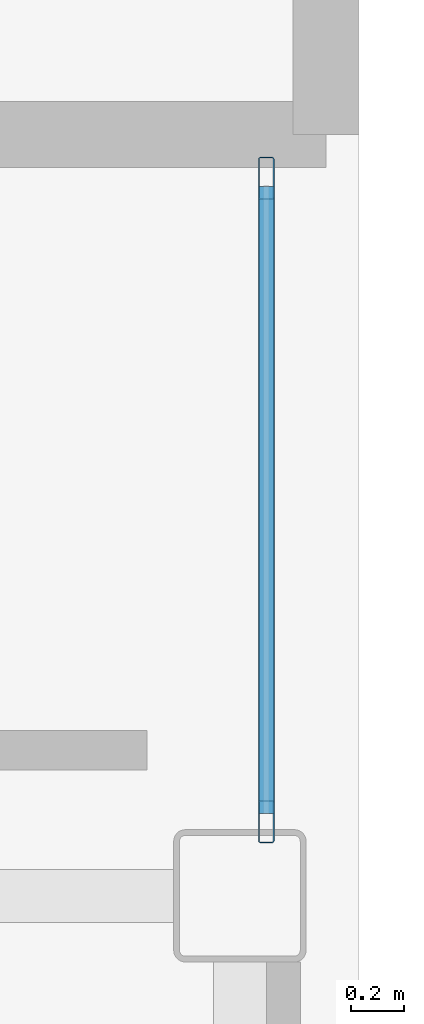
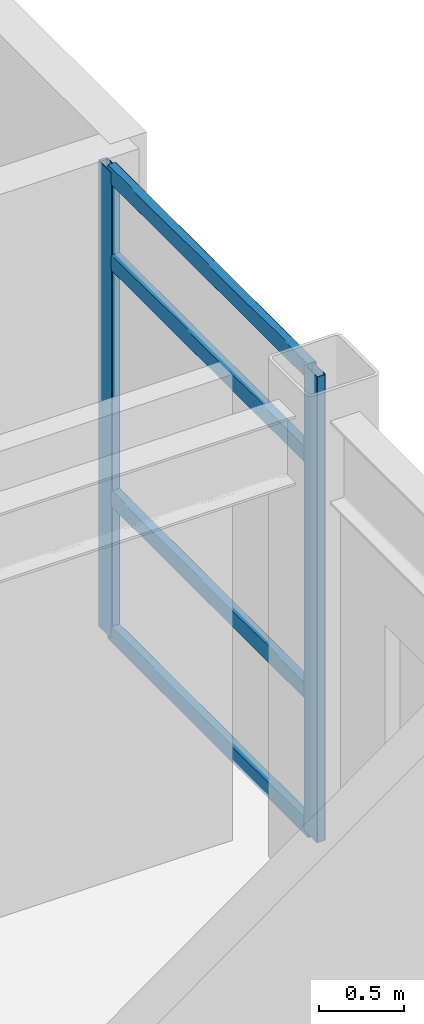
# One storey, part 7 of 35: 6 members, 1 element without a shape of its own.
"""IFC4 building model written with IfcOpenShell, lengths in metres."""

from ifc_helpers import new_model, si_unit, direction, frame, origin, origin_2d, place, context, subcontext, project, spatial, hollow_rectangle, extrude, material, layer, layer_set, material_profile, profile_set, type_object, element, aggregate, save


model = new_model("IFC4")

# Units and contexts
model_context = context("Model", 3, precision=1e-05, world=origin(), true_north=direction((0.0, 1.0)))
body_context = subcontext(model_context, "Body", "Model", "MODEL_VIEW")
ifc_project = project(units=[si_unit("LENGTHUNIT", "METRE"), si_unit("AREAUNIT", "SQUARE_METRE"), si_unit("VOLUMEUNIT", "CUBIC_METRE"), si_unit("PLANEANGLEUNIT", "RADIAN"), si_unit("MASSUNIT", "GRAM", prefix="KILO")], contexts=[model_context])

# Site, building, storey
site_placement = place(None, origin())
site = spatial("IfcSite", under=ifc_project, at=site_placement, CompositionType="ELEMENT")
building_placement = place(site_placement, origin())
building = spatial("IfcBuilding", under=site, at=building_placement, Name="Kazehara Bluff Congress Hotel", CompositionType="ELEMENT")
storey_placement = place(building_placement, frame((0.0, 0.0, 35.39990234375)))
storey = spatial("IfcBuildingStorey", under=building, at=storey_placement, Name="L08", CompositionType="ELEMENT", Elevation=35.39990234375)

# Curtain wall, members
ifc_material_1 = material(Name="Anodised aluminium", Category="aluminium")
ifc_layer = layer(ifc_material_1, 0.159912109375)
ifc_layer_set = layer_set([ifc_layer], Name="Anodised aluminium")
curtain_wall_type = type_object("IfcCurtainWallType", Name="TP-CW-187", PredefinedType="NOTDEFINED", material=ifc_layer_set)
curtain_wall_placement = place(storey_placement, origin())
curtain_wall = element("IfcCurtainWall", 1, at=curtain_wall_placement, inside=storey, type_object=curtain_wall_type, Name="L08 curtain wall CW-187 CW-ENC-V5-L08-16765-1749", PredefinedType="NOTDEFINED")
ifc_material_2 = material(Name="Anodised aluminium", Category="aluminium")
ifc_material_profile_1 = material_profile(ifc_material_2, hollow_rectangle(XDim=0.06005859375, YDim=0.159912109375, WallThickness=0.00390625, InnerFilletRadius=0.00390625, OuterFilletRadius=0.008056640625, at=origin_2d()))
ifc_profile_set_1 = profile_set([ifc_material_profile_1], Name="Anodised aluminium")
member_type_1 = type_object("IfcMemberType", Name="TP-CWM-01", PredefinedType="MULLION", material=ifc_profile_set_1)
member_1_placement = place(storey_placement, frame((167.64990234375, 18.7099609375, 0.0), z_axis=(0.0, 0.0, 1.0), x_axis=(1.0, 0.0, 0.0)))
member_1 = element("IfcMember", 2, at=member_1_placement, type_object=member_type_1, Name="CW-187 mullion 1", PredefinedType="MULLION", context=body_context, shape_type="SweptSolid", body=[
    extrude(hollow_rectangle(XDim=0.06005859375, YDim=0.159912109375, WallThickness=0.00390625, InnerFilletRadius=0.00390625, OuterFilletRadius=0.008056640625, at=origin_2d()), origin(), (0.0, 0.0, 1.0), 3.364990234375),
])
member_2_placement = place(storey_placement, frame((167.64990234375, 16.280029296875, 0.0), z_axis=(0.0, 0.0, 1.0), x_axis=(1.0, 0.0, 0.0)))
member_2 = element("IfcMember", 3, at=member_2_placement, type_object=member_type_1, Name="CW-187 mullion 2", PredefinedType="MULLION", context=body_context, shape_type="SweptSolid", body=[
    extrude(hollow_rectangle(XDim=0.06005859375, YDim=0.159912109375, WallThickness=0.00390625, InnerFilletRadius=0.00390625, OuterFilletRadius=0.008056640625, at=origin_2d()), origin(), (0.0, 0.0, 1.0), 3.364990234375),
])
ifc_material_3 = material(Name="Anodised aluminium", Category="aluminium")
ifc_material_profile_2 = material_profile(ifc_material_3, hollow_rectangle(XDim=0.06005859375, YDim=0.1201171875, WallThickness=0.00390625, InnerFilletRadius=0.00390625, OuterFilletRadius=0.008056640625, at=origin_2d()))
ifc_profile_set_2 = profile_set([ifc_material_profile_2], Name="Anodised aluminium")
member_type_2 = type_object("IfcMemberType", Name="TP-CWT-01", PredefinedType="USERDEFINED", material=ifc_profile_set_2)
member_3_placement = place(storey_placement, frame((167.64990234375, 18.679931640625, 0.030029296875), z_axis=(0.0, -1.0, 0.0), x_axis=(1.0, 0.0, 0.0)))
member_3 = element("IfcMember", 4, at=member_3_placement, type_object=member_type_2, Name="CW-187 transom 1.1", ObjectType="TRANSOM", PredefinedType="USERDEFINED", context=body_context, shape_type="SweptSolid", body=[
    extrude(hollow_rectangle(XDim=0.06005859375, YDim=0.1201171875, WallThickness=0.00390625, InnerFilletRadius=0.00390625, OuterFilletRadius=0.008056640625, at=origin_2d()), origin(), (0.0, 0.0, 1.0), 2.369873046875),
])
member_4_placement = place(storey_placement, frame((167.64990234375, 18.679931640625, 1.010009765625), z_axis=(0.0, -1.0, 0.0), x_axis=(1.0, 0.0, 0.0)))
member_4 = element("IfcMember", 5, at=member_4_placement, type_object=member_type_2, Name="CW-187 transom 1.2", ObjectType="TRANSOM", PredefinedType="USERDEFINED", context=body_context, shape_type="SweptSolid", body=[
    extrude(hollow_rectangle(XDim=0.06005859375, YDim=0.1201171875, WallThickness=0.00390625, InnerFilletRadius=0.00390625, OuterFilletRadius=0.008056640625, at=origin_2d()), origin(), (0.0, 0.0, 1.0), 2.369873046875),
])
member_5_placement = place(storey_placement, frame((167.64990234375, 18.679931640625, 2.715087890625), z_axis=(0.0, -1.0, 0.0), x_axis=(1.0, 0.0, 0.0)))
member_5 = element("IfcMember", 6, at=member_5_placement, type_object=member_type_2, Name="CW-187 transom 1.3", ObjectType="TRANSOM", PredefinedType="USERDEFINED", context=body_context, shape_type="SweptSolid", body=[
    extrude(hollow_rectangle(XDim=0.06005859375, YDim=0.1201171875, WallThickness=0.00390625, InnerFilletRadius=0.00390625, OuterFilletRadius=0.008056640625, at=origin_2d()), origin(), (0.0, 0.0, 1.0), 2.369873046875),
])
member_6_placement = place(storey_placement, frame((167.64990234375, 18.679931640625, 3.335205078125), z_axis=(0.0, -1.0, 0.0), x_axis=(1.0, 0.0, 0.0)))
member_6 = element("IfcMember", 7, at=member_6_placement, type_object=member_type_2, Name="CW-187 transom 1.4", ObjectType="TRANSOM", PredefinedType="USERDEFINED", context=body_context, shape_type="SweptSolid", body=[
    extrude(hollow_rectangle(XDim=0.06005859375, YDim=0.1201171875, WallThickness=0.00390625, InnerFilletRadius=0.00390625, OuterFilletRadius=0.008056640625, at=origin_2d()), origin(), (0.0, 0.0, 1.0), 2.369873046875),
])
aggregate(curtain_wall, [member_1, member_2, member_3, member_4, member_5, member_6])

save(model, "model.ifc")
